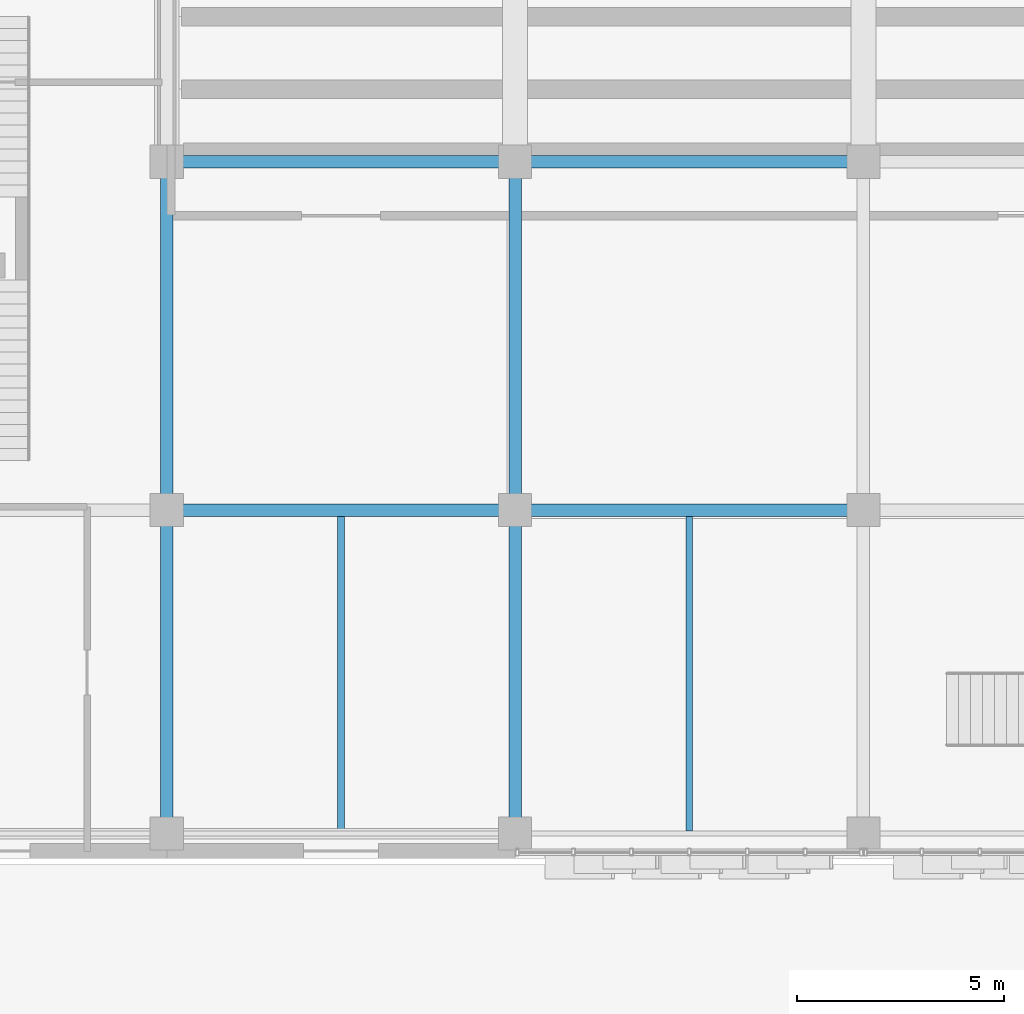
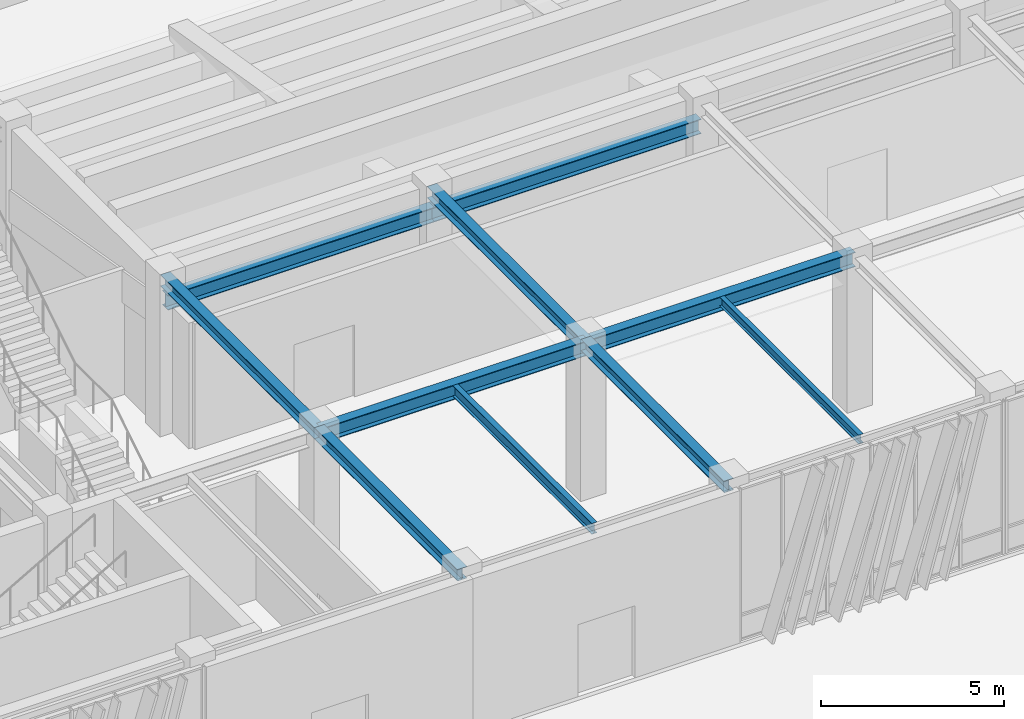
# One storey, part 34 of 122: 10 beams.
"""IFC4 building model written with IfcOpenShell, lengths in metres."""

import ifcopenshell
import ifcopenshell.guid

model = None  # the IFC model being written
_history = None  # IfcOwnerHistory: only IFC2X3 demands one
_inside = {}  # id of a spatial element -> (the spatial element, [elements in it])
_under = {}  # id of a project, library or spatial element -> (it, [spatial elements below it])
_declared = {}  # id of a project -> (the project, [libraries it declares])
_typed = {}  # id of a type object -> (the type object, [elements of that type])
_made_of = {}  # id of a material, layer set ... -> (it, [elements and type objects made of it])


def new_model(schema):
    """Start an empty IFC model of exactly this schema.

    Asked for "IFC4X3", IfcOpenShell would pick the latest addendum, in which some entities
    have other attributes; the version numbers below select the first issue.
    IFC2X3 requires an IfcOwnerHistory on every rooted entity: one is made here for all.
    """
    global model, _history
    if schema == "IFC4X3":
        model = ifcopenshell.file(schema_version=(4, 3, 0, 0))
    else:
        model = ifcopenshell.file(schema=schema)
    _inside.clear()
    _under.clear()
    _declared.clear()
    _typed.clear()
    _made_of.clear()
    _history = None
    if model.schema == "IFC2X3":
        org = make("IfcOrganization", Name="unknown")
        user = make(
            "IfcPersonAndOrganization",
            ThePerson=make("IfcPerson", FamilyName="unknown"),
            TheOrganization=org,
        )
        app = make(
            "IfcApplication",
            ApplicationDeveloper=org,
            Version="unknown",
            ApplicationFullName="unknown",
            ApplicationIdentifier="unknown",
        )
        _history = make(
            "IfcOwnerHistory",
            OwningUser=user,
            OwningApplication=app,
            ChangeAction="ADDED",
            CreationDate=0,
        )
    return model


def make(cls, **values):
    """One entity of the class cls with the attributes given. An attribute that is None is left unset."""
    return model.create_entity(
        cls, **{name: value for name, value in values.items() if value is not None}
    )


def rooted(cls, **values):
    """An entity with a GlobalId (a new one), such as an element, a storey or a relation."""
    return make(cls, GlobalId=ifcopenshell.guid.new(), OwnerHistory=_history, **values)


def si_unit(unit_type, name, prefix=None):
    """IfcSIUnit, for example si_unit("LENGTHUNIT", "METRE", prefix="MILLI")."""
    return make("IfcSIUnit", UnitType=unit_type, Prefix=prefix, Name=name)


def assignment(units):
    """IfcUnitAssignment: the units of a project."""
    return None if units is None else make("IfcUnitAssignment", Units=units)


def point(xyz):
    """IfcCartesianPoint."""
    return None if xyz is None else make("IfcCartesianPoint", Coordinates=xyz)


def direction(xyz):
    """IfcDirection."""
    return None if xyz is None else make("IfcDirection", DirectionRatios=xyz)


def frame(location, z_axis=None, x_axis=None):
    """IfcAxis2Placement3D, a coordinate frame: its origin and axes. An axis left out is left unset."""
    return make(
        "IfcAxis2Placement3D",
        Location=point(location),
        Axis=direction(z_axis),
        RefDirection=direction(x_axis),
    )


def frame_2d(location, x_axis=None):
    """IfcAxis2Placement2D, a coordinate frame in the plane: its origin and x axis."""
    return make(
        "IfcAxis2Placement2D", Location=point(location), RefDirection=direction(x_axis)
    )


def origin():
    """The frame at (0, 0, 0) with its axes left unset."""
    return frame((0.0, 0.0, 0.0))


def origin_2d():
    """The frame at (0, 0) in the plane with its x axis left unset."""
    return frame_2d((0.0, 0.0))


def place(relative_to, where):
    """IfcLocalPlacement: puts the frame where relative to a parent placement (None: the world)."""
    return make(
        "IfcLocalPlacement", PlacementRelTo=relative_to, RelativePlacement=where
    )


def context(
    kind, dimensions, precision=None, world=None, true_north=None, identifier=None
):
    """IfcGeometricRepresentationContext, for example the 3D "Model" context."""
    return make(
        "IfcGeometricRepresentationContext",
        ContextIdentifier=identifier,
        ContextType=kind,
        CoordinateSpaceDimension=dimensions,
        Precision=precision,
        WorldCoordinateSystem=world,
        TrueNorth=true_north,
    )


def subcontext(parent, identifier, kind, view, scale=None):
    """IfcGeometricRepresentationSubContext, for example "Body" below "Model"."""
    return make(
        "IfcGeometricRepresentationSubContext",
        ContextIdentifier=identifier,
        ContextType=kind,
        ParentContext=parent,
        TargetScale=scale,
        TargetView=view,
    )


def project(units=None, contexts=None):
    """IfcProject with its units and contexts."""
    return rooted(
        "IfcProject",
        Name="project",
        RepresentationContexts=contexts,
        UnitsInContext=assignment(units),
    )


def spatial(cls, under=None, at=None, **own):
    """A site, building, storey or space (cls), placed at a placement, below another one or the project."""
    s = rooted(cls, ObjectPlacement=at, **own)
    if under is not None:
        _under.setdefault(under.id(), (under, []))[1].append(s)
    return s


def profile(cls, at=None, kind="AREA", **sizes):
    """A parametric profile (cls). Its sizes go by their IFC names, for example OverallWidth=200.0."""
    return make(cls, ProfileType=kind, Position=at, **sizes)


def i_section(**sizes):
    """IfcIShapeProfileDef."""
    return profile("IfcIShapeProfileDef", **sizes)


def extrude(swept, where, along, depth):
    """IfcExtrudedAreaSolid: the profile swept, set in the frame where, extruded along a direction by depth."""
    return make(
        "IfcExtrudedAreaSolid",
        SweptArea=swept,
        Position=where,
        ExtrudedDirection=direction(along),
        Depth=depth,
    )


def shape(context_of_items, identifier, shape_type, items):
    """IfcShapeRepresentation: the items that make up one representation, for example the "Body"."""
    return make(
        "IfcShapeRepresentation",
        ContextOfItems=context_of_items,
        RepresentationIdentifier=identifier,
        RepresentationType=shape_type,
        Items=items,
    )


def material(Name=None, Category=None):
    """IfcMaterial."""
    return make("IfcMaterial", Name=Name, Category=Category)


def material_profile(
    of_material, cross_section, Name=None, Category=None, Priority=None
):
    """IfcMaterialProfile: a cross section and its material."""
    return make(
        "IfcMaterialProfile",
        Name=Name,
        Material=of_material,
        Profile=cross_section,
        Priority=Priority,
        Category=Category,
    )


def profile_set(profiles, Name=None, composite=None):
    """IfcMaterialProfileSet."""
    return make(
        "IfcMaterialProfileSet",
        Name=Name,
        MaterialProfiles=profiles,
        CompositeProfile=composite,
    )


def made_of(thing, what):
    """Note that an element or type object is made of a material, layer set ...; save() writes the relation."""
    if what is not None:
        _made_of.setdefault(what.id(), (what, []))[1].append(thing)
    return thing


def type_object(cls, material=None, **own):
    """A type object (cls), such as IfcWallType, which elements share."""
    return made_of(rooted(cls, **own), material)


def element(
    cls,
    number,
    at=None,
    inside=None,
    cuts=None,
    type_object=None,
    material=None,
    context=None,
    identifier="Body",
    shape_type=None,
    held_by="IfcProductDefinitionShape",
    body=None,
    shapes=None,
    **own,
):
    """One element of the class cls, such as IfcWall. Its Tag is "e" and its number.

    at: its placement. inside: the storey or other place that contains it. cuts: it is an
    opening in that element (IfcRelVoidsElement). A single representation is given by context,
    identifier, shape_type and body (its items); several are given by shapes. held_by: the class
    of the entity that holds the representations. save() writes the other relations.
    """
    e = rooted(cls, Tag="e%d" % number, ObjectPlacement=at, **own)
    if body is not None:
        shapes = [shape(context, identifier, shape_type, body)]
    if shapes is not None:
        e.Representation = make(held_by, Representations=shapes)
    if inside is not None:
        _inside.setdefault(inside.id(), (inside, []))[1].append(e)
    if cuts is not None:
        rooted(
            "IfcRelVoidsElement", RelatingBuildingElement=cuts, RelatedOpeningElement=e
        )
    if type_object is not None:
        _typed.setdefault(type_object.id(), (type_object, []))[1].append(e)
    return made_of(e, material)


def aggregate(whole, parts):
    """IfcRelAggregates: a whole, such as a stair, and the parts it consists of."""
    return rooted("IfcRelAggregates", RelatingObject=whole, RelatedObjects=parts)


def save(model, path):
    """Write the relations noted so far, then the file.

    IfcRelAggregates (storeys below a building ...), IfcRelContainedInSpatialStructure (elements
    in a storey), IfcRelDefinesByType, IfcRelAssociatesMaterial and IfcRelDeclares: one each for
    every whole, place, type object, material and project.
    """
    for whole, parts in _under.values():
        aggregate(whole, parts)
    for where, things in _inside.values():
        rooted(
            "IfcRelContainedInSpatialStructure",
            RelatedElements=things,
            RelatingStructure=where,
        )
    for kind, things in _typed.values():
        rooted("IfcRelDefinesByType", RelatedObjects=things, RelatingType=kind)
    for what, things in _made_of.values():
        rooted("IfcRelAssociatesMaterial", RelatedObjects=things, RelatingMaterial=what)
    for by, libraries in _declared.values():
        rooted("IfcRelDeclares", RelatingContext=by, RelatedDefinitions=libraries)
    model.write(path)


model = new_model("IFC4")

# Units and contexts
model_context = context("Model", 3, precision=1e-05, world=origin(), true_north=direction((0.0, 1.0)))
body_context = subcontext(model_context, "Body", "Model", "MODEL_VIEW")
ifc_project = project(units=[si_unit("LENGTHUNIT", "METRE"), si_unit("AREAUNIT", "SQUARE_METRE"), si_unit("VOLUMEUNIT", "CUBIC_METRE"), si_unit("PLANEANGLEUNIT", "RADIAN"), si_unit("MASSUNIT", "GRAM", prefix="KILO")], contexts=[model_context])

# Site, building, storey
site_placement = place(None, origin())
site = spatial("IfcSite", under=ifc_project, at=site_placement, CompositionType="ELEMENT")
building_placement = place(site_placement, origin())
building = spatial("IfcBuilding", under=site, at=building_placement, Name="Zayran Congress Hotel", CompositionType="ELEMENT")
storey_placement = place(building_placement, origin())
storey = spatial("IfcBuildingStorey", under=building, at=storey_placement, Name="L00", CompositionType="ELEMENT", Elevation=0.0)

# Beams
ifc_material = material(Name="Steel S355", Category="steel")
ifc_material_profile_1 = material_profile(ifc_material, i_section(OverallWidth=0.300048828125, OverallDepth=0.489990234375, WebThickness=0.011962890625, FlangeThickness=0.02294921875, at=origin_2d()), Name="HEA 500")
ifc_profile_set_1 = profile_set([ifc_material_profile_1], Name="Steel S355")
beam_type_1 = type_object("IfcBeamType", Name="TP-BM-05", PredefinedType="BEAM", material=ifc_profile_set_1)
beam_1_placement = place(storey_placement, frame((25.199951171875, 76.0, 4.8349609375), z_axis=(1.0, 0.0, 0.0), x_axis=(0.0, 1.0, 0.0)))
element("IfcBeam", 1, at=beam_1_placement, inside=storey, type_object=beam_type_1, Name="BM-V1-L00-0401", PredefinedType="BEAM", context=body_context, shape_type="SweptSolid", body=[
    extrude(i_section(OverallWidth=0.300048828125, OverallDepth=0.489990234375, WebThickness=0.011962890625, FlangeThickness=0.02294921875, at=origin_2d()), origin(), (0.0, 0.0, 1.0), 8.400146484375),
])
beam_2_placement = place(storey_placement, frame((33.60009765625, 76.0, 4.8349609375), z_axis=(1.0, 0.0, 0.0), x_axis=(0.0, 1.0, 0.0)))
element("IfcBeam", 2, at=beam_2_placement, inside=storey, type_object=beam_type_1, Name="BM-V1-L00-0402", PredefinedType="BEAM", context=body_context, shape_type="SweptSolid", body=[
    extrude(i_section(OverallWidth=0.300048828125, OverallDepth=0.489990234375, WebThickness=0.011962890625, FlangeThickness=0.02294921875, at=origin_2d()), origin(), (0.0, 0.0, 1.0), 8.39990234375),
])
beam_3_placement = place(storey_placement, frame((25.199951171875, 84.39990234375, 4.175048828125), z_axis=(1.0, 0.0, 0.0), x_axis=(0.0, 1.0, 0.0)))
element("IfcBeam", 3, at=beam_3_placement, inside=storey, type_object=beam_type_1, Name="BM-V1-L00-0410", PredefinedType="BEAM", context=body_context, shape_type="SweptSolid", body=[
    extrude(i_section(OverallWidth=0.300048828125, OverallDepth=0.489990234375, WebThickness=0.011962890625, FlangeThickness=0.02294921875, at=origin_2d()), origin(), (0.0, 0.0, 1.0), 8.400146484375),
])
beam_4_placement = place(storey_placement, frame((33.60009765625, 84.39990234375, 4.175048828125), z_axis=(1.0, 0.0, 0.0), x_axis=(0.0, 1.0, 0.0)))
element("IfcBeam", 4, at=beam_4_placement, inside=storey, type_object=beam_type_1, Name="BM-V1-L00-0411", PredefinedType="BEAM", context=body_context, shape_type="SweptSolid", body=[
    extrude(i_section(OverallWidth=0.300048828125, OverallDepth=0.489990234375, WebThickness=0.011962890625, FlangeThickness=0.02294921875, at=origin_2d()), origin(), (0.0, 0.0, 1.0), 8.39990234375),
])
ifc_material_profile_2 = material_profile(ifc_material, i_section(OverallWidth=0.300048828125, OverallDepth=0.389892578125, WebThickness=0.010986328125, FlangeThickness=0.01904296875, at=origin_2d()), Name="HEA 400")
ifc_profile_set_2 = profile_set([ifc_material_profile_2], Name="Steel S355")
beam_type_2 = type_object("IfcBeamType", Name="TP-BM-06", PredefinedType="BEAM", material=ifc_profile_set_2)
beam_5_placement = place(storey_placement, frame((25.199951171875, 68.199951171875, 4.885009765625), z_axis=(0.0, 1.0, 0.0), x_axis=(-1.0, 0.0, 0.0)))
element("IfcBeam", 5, at=beam_5_placement, inside=storey, type_object=beam_type_2, Name="BM-V1-L00-0455", PredefinedType="BEAM", context=body_context, shape_type="SweptSolid", body=[
    extrude(i_section(OverallWidth=0.300048828125, OverallDepth=0.389892578125, WebThickness=0.010986328125, FlangeThickness=0.01904296875, at=origin_2d()), origin(), (0.0, 0.0, 1.0), 7.800048828125),
])
beam_6_placement = place(storey_placement, frame((25.199951171875, 76.0, 4.885009765625), z_axis=(0.0, 1.0, 0.0), x_axis=(-1.0, 0.0, 0.0)))
element("IfcBeam", 6, at=beam_6_placement, inside=storey, type_object=beam_type_2, Name="BM-V1-L00-0456", PredefinedType="BEAM", context=body_context, shape_type="SweptSolid", body=[
    extrude(i_section(OverallWidth=0.300048828125, OverallDepth=0.389892578125, WebThickness=0.010986328125, FlangeThickness=0.01904296875, at=origin_2d()), origin(), (0.0, 0.0, 1.0), 8.39990234375),
])
beam_7_placement = place(storey_placement, frame((33.60009765625, 68.199951171875, 4.885009765625), z_axis=(0.0, 1.0, 0.0), x_axis=(-1.0, 0.0, 0.0)))
element("IfcBeam", 7, at=beam_7_placement, inside=storey, type_object=beam_type_2, Name="BM-V1-L00-0461", PredefinedType="BEAM", context=body_context, shape_type="SweptSolid", body=[
    extrude(i_section(OverallWidth=0.300048828125, OverallDepth=0.389892578125, WebThickness=0.010986328125, FlangeThickness=0.01904296875, at=origin_2d()), origin(), (0.0, 0.0, 1.0), 7.800048828125),
])
beam_8_placement = place(storey_placement, frame((33.60009765625, 76.0, 4.885009765625), z_axis=(0.0, 1.0, 0.0), x_axis=(-1.0, 0.0, 0.0)))
element("IfcBeam", 8, at=beam_8_placement, inside=storey, type_object=beam_type_2, Name="BM-V1-L00-0462", PredefinedType="BEAM", context=body_context, shape_type="SweptSolid", body=[
    extrude(i_section(OverallWidth=0.300048828125, OverallDepth=0.389892578125, WebThickness=0.010986328125, FlangeThickness=0.01904296875, at=origin_2d()), origin(), (0.0, 0.0, 1.0), 8.39990234375),
])
ifc_material_profile_3 = material_profile(ifc_material, i_section(OverallWidth=0.169921875, OverallDepth=0.360107421875, WebThickness=0.008056640625, FlangeThickness=0.0126953125, at=origin_2d()), Name="IPE 360")
ifc_profile_set_3 = profile_set([ifc_material_profile_3], Name="Steel S355")
beam_type_3 = type_object("IfcBeamType", Name="TP-JS-04", PredefinedType="JOIST", material=ifc_profile_set_3)
beam_9_placement = place(storey_placement, frame((29.39990234375, 68.260009765625, 4.89990234375), z_axis=(0.0, 1.0, 0.0), x_axis=(-1.0, 0.0, 0.0)))
element("IfcBeam", 9, at=beam_9_placement, inside=storey, type_object=beam_type_3, Name="JST-V1-L00-0497", PredefinedType="JOIST", context=body_context, shape_type="SweptSolid", body=[
    extrude(i_section(OverallWidth=0.169921875, OverallDepth=0.360107421875, WebThickness=0.008056640625, FlangeThickness=0.0126953125, at=origin_2d()), origin(), (0.0, 0.0, 1.0), 7.590087890625),
])
ifc_material_profile_4 = material_profile(ifc_material, i_section(OverallWidth=0.14990234375, OverallDepth=0.300048828125, WebThickness=0.007080078125, FlangeThickness=0.0107421875, at=origin_2d()), Name="IPE 300")
ifc_profile_set_4 = profile_set([ifc_material_profile_4], Name="Steel S355")
beam_type_4 = type_object("IfcBeamType", Name="TP-JS-05", PredefinedType="JOIST", material=ifc_profile_set_4)
beam_10_placement = place(storey_placement, frame((37.800048828125, 68.260009765625, 4.929931640625), z_axis=(0.0, 1.0, 0.0), x_axis=(-1.0, 0.0, 0.0)))
element("IfcBeam", 10, at=beam_10_placement, inside=storey, type_object=beam_type_4, Name="JST-V1-L00-0499", PredefinedType="JOIST", context=body_context, shape_type="SweptSolid", body=[
    extrude(i_section(OverallWidth=0.14990234375, OverallDepth=0.300048828125, WebThickness=0.007080078125, FlangeThickness=0.0107421875, at=origin_2d()), origin(), (0.0, 0.0, 1.0), 7.590087890625),
])

save(model, "model.ifc")
